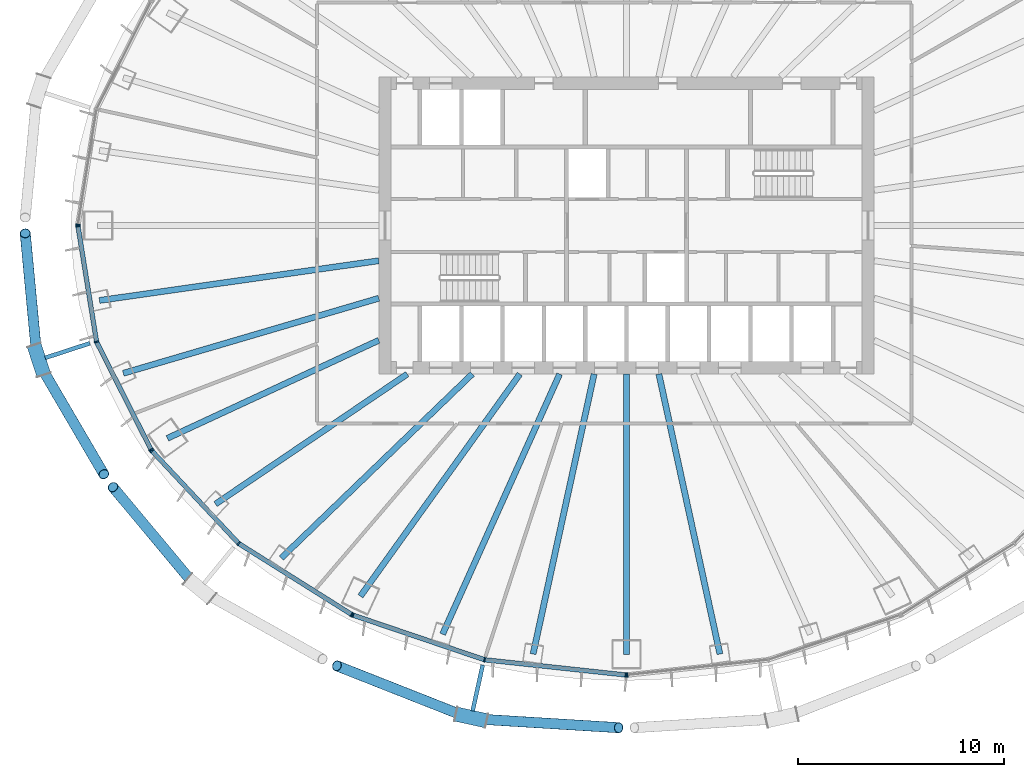
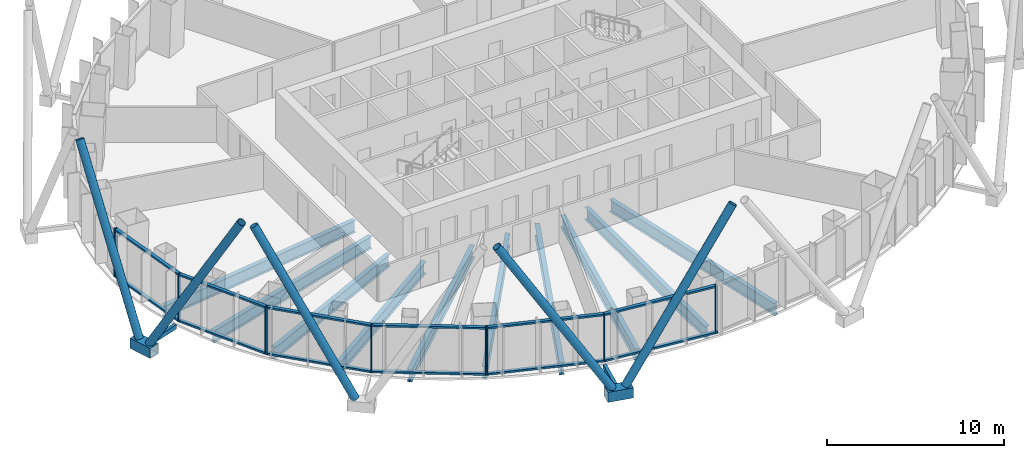
# One storey, part 2 of 18: 32 members, 10 beams, 5 elements without a shape of their own.
"""IFC4 building model written with IfcOpenShell, lengths in metres."""

import ifcopenshell
import ifcopenshell.guid

model = None  # the IFC model being written
_history = None  # IfcOwnerHistory: only IFC2X3 demands one
_inside = {}  # id of a spatial element -> (the spatial element, [elements in it])
_under = {}  # id of a project, library or spatial element -> (it, [spatial elements below it])
_declared = {}  # id of a project -> (the project, [libraries it declares])
_typed = {}  # id of a type object -> (the type object, [elements of that type])
_made_of = {}  # id of a material, layer set ... -> (it, [elements and type objects made of it])


def new_model(schema):
    """Start an empty IFC model of exactly this schema.

    Asked for "IFC4X3", IfcOpenShell would pick the latest addendum, in which some entities
    have other attributes; the version numbers below select the first issue.
    IFC2X3 requires an IfcOwnerHistory on every rooted entity: one is made here for all.
    """
    global model, _history
    if schema == "IFC4X3":
        model = ifcopenshell.file(schema_version=(4, 3, 0, 0))
    else:
        model = ifcopenshell.file(schema=schema)
    _inside.clear()
    _under.clear()
    _declared.clear()
    _typed.clear()
    _made_of.clear()
    _history = None
    if model.schema == "IFC2X3":
        org = make("IfcOrganization", Name="unknown")
        user = make(
            "IfcPersonAndOrganization",
            ThePerson=make("IfcPerson", FamilyName="unknown"),
            TheOrganization=org,
        )
        app = make(
            "IfcApplication",
            ApplicationDeveloper=org,
            Version="unknown",
            ApplicationFullName="unknown",
            ApplicationIdentifier="unknown",
        )
        _history = make(
            "IfcOwnerHistory",
            OwningUser=user,
            OwningApplication=app,
            ChangeAction="ADDED",
            CreationDate=0,
        )
    return model


def make(cls, **values):
    """One entity of the class cls with the attributes given. An attribute that is None is left unset."""
    return model.create_entity(
        cls, **{name: value for name, value in values.items() if value is not None}
    )


def rooted(cls, **values):
    """An entity with a GlobalId (a new one), such as an element, a storey or a relation."""
    return make(cls, GlobalId=ifcopenshell.guid.new(), OwnerHistory=_history, **values)


def si_unit(unit_type, name, prefix=None):
    """IfcSIUnit, for example si_unit("LENGTHUNIT", "METRE", prefix="MILLI")."""
    return make("IfcSIUnit", UnitType=unit_type, Prefix=prefix, Name=name)


def assignment(units):
    """IfcUnitAssignment: the units of a project."""
    return None if units is None else make("IfcUnitAssignment", Units=units)


def point(xyz):
    """IfcCartesianPoint."""
    return None if xyz is None else make("IfcCartesianPoint", Coordinates=xyz)


def direction(xyz):
    """IfcDirection."""
    return None if xyz is None else make("IfcDirection", DirectionRatios=xyz)


def frame(location, z_axis=None, x_axis=None):
    """IfcAxis2Placement3D, a coordinate frame: its origin and axes. An axis left out is left unset."""
    return make(
        "IfcAxis2Placement3D",
        Location=point(location),
        Axis=direction(z_axis),
        RefDirection=direction(x_axis),
    )


def frame_2d(location, x_axis=None):
    """IfcAxis2Placement2D, a coordinate frame in the plane: its origin and x axis."""
    return make(
        "IfcAxis2Placement2D", Location=point(location), RefDirection=direction(x_axis)
    )


def origin():
    """The frame at (0, 0, 0) with its axes left unset."""
    return frame((0.0, 0.0, 0.0))


def origin_2d():
    """The frame at (0, 0) in the plane with its x axis left unset."""
    return frame_2d((0.0, 0.0))


def place(relative_to, where):
    """IfcLocalPlacement: puts the frame where relative to a parent placement (None: the world)."""
    return make(
        "IfcLocalPlacement", PlacementRelTo=relative_to, RelativePlacement=where
    )


def context(
    kind, dimensions, precision=None, world=None, true_north=None, identifier=None
):
    """IfcGeometricRepresentationContext, for example the 3D "Model" context."""
    return make(
        "IfcGeometricRepresentationContext",
        ContextIdentifier=identifier,
        ContextType=kind,
        CoordinateSpaceDimension=dimensions,
        Precision=precision,
        WorldCoordinateSystem=world,
        TrueNorth=true_north,
    )


def subcontext(parent, identifier, kind, view, scale=None):
    """IfcGeometricRepresentationSubContext, for example "Body" below "Model"."""
    return make(
        "IfcGeometricRepresentationSubContext",
        ContextIdentifier=identifier,
        ContextType=kind,
        ParentContext=parent,
        TargetScale=scale,
        TargetView=view,
    )


def project(units=None, contexts=None):
    """IfcProject with its units and contexts."""
    return rooted(
        "IfcProject",
        Name="project",
        RepresentationContexts=contexts,
        UnitsInContext=assignment(units),
    )


def spatial(cls, under=None, at=None, **own):
    """A site, building, storey or space (cls), placed at a placement, below another one or the project."""
    s = rooted(cls, ObjectPlacement=at, **own)
    if under is not None:
        _under.setdefault(under.id(), (under, []))[1].append(s)
    return s


def profile(cls, at=None, kind="AREA", **sizes):
    """A parametric profile (cls). Its sizes go by their IFC names, for example OverallWidth=200.0."""
    return make(cls, ProfileType=kind, Position=at, **sizes)


def rectangle(**sizes):
    """IfcRectangleProfileDef."""
    return profile("IfcRectangleProfileDef", **sizes)


def hollow_rectangle(**sizes):
    """IfcRectangleHollowProfileDef."""
    return profile("IfcRectangleHollowProfileDef", **sizes)


def hollow_circle(**sizes):
    """IfcCircleHollowProfileDef."""
    return profile("IfcCircleHollowProfileDef", **sizes)


def i_section(**sizes):
    """IfcIShapeProfileDef."""
    return profile("IfcIShapeProfileDef", **sizes)


def extrude(swept, where, along, depth):
    """IfcExtrudedAreaSolid: the profile swept, set in the frame where, extruded along a direction by depth."""
    return make(
        "IfcExtrudedAreaSolid",
        SweptArea=swept,
        Position=where,
        ExtrudedDirection=direction(along),
        Depth=depth,
    )


def shape(context_of_items, identifier, shape_type, items):
    """IfcShapeRepresentation: the items that make up one representation, for example the "Body"."""
    return make(
        "IfcShapeRepresentation",
        ContextOfItems=context_of_items,
        RepresentationIdentifier=identifier,
        RepresentationType=shape_type,
        Items=items,
    )


def material(Name=None, Category=None):
    """IfcMaterial."""
    return make("IfcMaterial", Name=Name, Category=Category)


def layer(
    of_material, thickness, ventilated=None, Name=None, Category=None, Priority=None
):
    """IfcMaterialLayer: one layer of a wall or slab, of a material (None: an air gap)."""
    return make(
        "IfcMaterialLayer",
        Material=of_material,
        LayerThickness=thickness,
        IsVentilated=ventilated,
        Name=Name,
        Category=Category,
        Priority=Priority,
    )


def layer_set(layers, Name=None):
    """IfcMaterialLayerSet."""
    return make("IfcMaterialLayerSet", MaterialLayers=layers, LayerSetName=Name)


def material_profile(
    of_material, cross_section, Name=None, Category=None, Priority=None
):
    """IfcMaterialProfile: a cross section and its material."""
    return make(
        "IfcMaterialProfile",
        Name=Name,
        Material=of_material,
        Profile=cross_section,
        Priority=Priority,
        Category=Category,
    )


def profile_set(profiles, Name=None, composite=None):
    """IfcMaterialProfileSet."""
    return make(
        "IfcMaterialProfileSet",
        Name=Name,
        MaterialProfiles=profiles,
        CompositeProfile=composite,
    )


def made_of(thing, what):
    """Note that an element or type object is made of a material, layer set ...; save() writes the relation."""
    if what is not None:
        _made_of.setdefault(what.id(), (what, []))[1].append(thing)
    return thing


def type_object(cls, material=None, **own):
    """A type object (cls), such as IfcWallType, which elements share."""
    return made_of(rooted(cls, **own), material)


def element(
    cls,
    number,
    at=None,
    inside=None,
    cuts=None,
    type_object=None,
    material=None,
    context=None,
    identifier="Body",
    shape_type=None,
    held_by="IfcProductDefinitionShape",
    body=None,
    shapes=None,
    **own,
):
    """One element of the class cls, such as IfcWall. Its Tag is "e" and its number.

    at: its placement. inside: the storey or other place that contains it. cuts: it is an
    opening in that element (IfcRelVoidsElement). A single representation is given by context,
    identifier, shape_type and body (its items); several are given by shapes. held_by: the class
    of the entity that holds the representations. save() writes the other relations.
    """
    e = rooted(cls, Tag="e%d" % number, ObjectPlacement=at, **own)
    if body is not None:
        shapes = [shape(context, identifier, shape_type, body)]
    if shapes is not None:
        e.Representation = make(held_by, Representations=shapes)
    if inside is not None:
        _inside.setdefault(inside.id(), (inside, []))[1].append(e)
    if cuts is not None:
        rooted(
            "IfcRelVoidsElement", RelatingBuildingElement=cuts, RelatedOpeningElement=e
        )
    if type_object is not None:
        _typed.setdefault(type_object.id(), (type_object, []))[1].append(e)
    return made_of(e, material)


def aggregate(whole, parts):
    """IfcRelAggregates: a whole, such as a stair, and the parts it consists of."""
    return rooted("IfcRelAggregates", RelatingObject=whole, RelatedObjects=parts)


def save(model, path):
    """Write the relations noted so far, then the file.

    IfcRelAggregates (storeys below a building ...), IfcRelContainedInSpatialStructure (elements
    in a storey), IfcRelDefinesByType, IfcRelAssociatesMaterial and IfcRelDeclares: one each for
    every whole, place, type object, material and project.
    """
    for whole, parts in _under.values():
        aggregate(whole, parts)
    for where, things in _inside.values():
        rooted(
            "IfcRelContainedInSpatialStructure",
            RelatedElements=things,
            RelatingStructure=where,
        )
    for kind, things in _typed.values():
        rooted("IfcRelDefinesByType", RelatedObjects=things, RelatingType=kind)
    for what, things in _made_of.values():
        rooted("IfcRelAssociatesMaterial", RelatedObjects=things, RelatingMaterial=what)
    for by, libraries in _declared.values():
        rooted("IfcRelDeclares", RelatingContext=by, RelatedDefinitions=libraries)
    model.write(path)


model = new_model("IFC4")

# Units and contexts
model_context = context("Model", 3, precision=1e-05, world=origin(), true_north=direction((0.0, 1.0)))
body_context = subcontext(model_context, "Body", "Model", "MODEL_VIEW")
ifc_project = project(units=[si_unit("LENGTHUNIT", "METRE"), si_unit("AREAUNIT", "SQUARE_METRE"), si_unit("VOLUMEUNIT", "CUBIC_METRE"), si_unit("PLANEANGLEUNIT", "RADIAN"), si_unit("MASSUNIT", "GRAM", prefix="KILO")], contexts=[model_context])

# Site, building, storey
site_placement = place(None, origin())
site = spatial("IfcSite", under=ifc_project, at=site_placement, CompositionType="ELEMENT")
building_placement = place(site_placement, origin())
building = spatial("IfcBuilding", under=site, at=building_placement, Name="Siaravel Broadcast Tower", CompositionType="ELEMENT")
storey_placement = place(building_placement, frame((0.0, 0.0, 81.5)))
storey = spatial("IfcBuildingStorey", under=building, at=storey_placement, Name="L19", CompositionType="ELEMENT", Elevation=81.5)

# Beams
ifc_material_1 = material(Name="Steel S355", Category="steel")
ifc_material_profile_1 = material_profile(ifc_material_1, i_section(OverallWidth=0.291748046875, OverallDepth=0.8349609375, WebThickness=0.013916015625, FlangeThickness=0.018798828125, FilletRadius=0.017822265625, at=origin_2d()))
ifc_profile_set_1 = profile_set([ifc_material_profile_1], Name="Steel S355")
beam_type = type_object("IfcBeamType", Name="BM-UB 838x292x176", PredefinedType="BEAM", material=ifc_profile_set_1)
beam_1_placement = place(storey_placement, frame((-25.533447265625, -3.63232421875, -0.5673828125), z_axis=(0.990031838, 0.140843741, 0.0), x_axis=(-0.140843741, 0.990031838, 0.0)))
element("IfcBeam", 1, at=beam_1_placement, inside=storey, type_object=beam_type, Name="Radial beam RB20", PredefinedType="BEAM", context=body_context, shape_type="SweptSolid", body=[
    extrude(i_section(OverallWidth=0.291748046875, OverallDepth=0.8349609375, WebThickness=0.013916015625, FlangeThickness=0.018798828125, FilletRadius=0.017822265625, at=origin_2d()), origin(), (0.0, 0.0, 1.0), 13.669677734375),
])
beam_2_placement = place(storey_placement, frame((-24.37890625, -7.161376953125, -0.5673828125), z_axis=(0.959457352, 0.281853843, 0.0), x_axis=(-0.281853843, 0.959457352, 0.0)))
element("IfcBeam", 2, at=beam_2_placement, inside=storey, type_object=beam_type, Name="Radial beam RB21", PredefinedType="BEAM", context=body_context, shape_type="SweptSolid", body=[
    extrude(i_section(OverallWidth=0.291748046875, OverallDepth=0.8349609375, WebThickness=0.013916015625, FlangeThickness=0.018798828125, FilletRadius=0.017822265625, at=origin_2d()), origin(), (0.0, 0.0, 1.0), 12.902099609375),
])
beam_3_placement = place(storey_placement, frame((-22.242431640625, -10.310302734375, -0.5673828125), z_axis=(0.907266333, 0.420556537, 0.0), x_axis=(-0.420556537, 0.907266333, 0.0)))
element("IfcBeam", 3, at=beam_3_placement, inside=storey, type_object=beam_type, Name="Radial beam RB22", PredefinedType="BEAM", context=body_context, shape_type="SweptSolid", body=[
    extrude(i_section(OverallWidth=0.291748046875, OverallDepth=0.8349609375, WebThickness=0.013916015625, FlangeThickness=0.018798828125, FilletRadius=0.017822265625, at=origin_2d()), origin(), (0.0, 0.0, 1.0), 11.289306640625),
])
beam_4_placement = place(storey_placement, frame((-19.910888671875, -13.496826171875, -0.5673828125), z_axis=(0.827748229, 0.561099696, 0.0), x_axis=(-0.561099696, 0.827748229, 0.0)))
element("IfcBeam", 4, at=beam_4_placement, inside=storey, type_object=beam_type, Name="Radial beam RB23", PredefinedType="BEAM", context=body_context, shape_type="SweptSolid", body=[
    extrude(i_section(OverallWidth=0.291748046875, OverallDepth=0.8349609375, WebThickness=0.013916015625, FlangeThickness=0.018798828125, FilletRadius=0.017822265625, at=origin_2d()), origin(), (0.0, 0.0, 1.0), 11.222412109375),
])
beam_5_placement = place(storey_placement, frame((-16.72314453125, -16.10791015625, -0.5673828125), z_axis=(0.72022556, 0.693739968, 0.0), x_axis=(-0.693739968, 0.72022556, 0.0)))
element("IfcBeam", 5, at=beam_5_placement, inside=storey, type_object=beam_type, Name="Radial beam RB24", PredefinedType="BEAM", context=body_context, shape_type="SweptSolid", body=[
    extrude(i_section(OverallWidth=0.291748046875, OverallDepth=0.8349609375, WebThickness=0.013916015625, FlangeThickness=0.018798828125, FilletRadius=0.017822265625, at=origin_2d()), origin(), (0.0, 0.0, 1.0), 12.840576171875),
])
beam_6_placement = place(storey_placement, frame((-12.890380859375, -17.961181640625, -0.5673828125), z_axis=(0.583051778, 0.812434997, 0.0), x_axis=(-0.812434997, 0.583051778, 0.0)))
element("IfcBeam", 6, at=beam_6_placement, inside=storey, type_object=beam_type, Name="Radial beam RB25", PredefinedType="BEAM", context=body_context, shape_type="SweptSolid", body=[
    extrude(i_section(OverallWidth=0.291748046875, OverallDepth=0.8349609375, WebThickness=0.013916015625, FlangeThickness=0.018798828125, FilletRadius=0.017822265625, at=origin_2d()), origin(), (0.0, 0.0, 1.0), 13.24560546875),
])
beam_7_placement = place(storey_placement, frame((-8.91064453125, -19.80126953125, -0.5673828125), z_axis=(0.41036835, 0.911919852, 0.0), x_axis=(-0.911919852, 0.41036835, 0.0)))
element("IfcBeam", 7, at=beam_7_placement, inside=storey, type_object=beam_type, Name="Radial beam RB26", PredefinedType="BEAM", context=body_context, shape_type="SweptSolid", body=[
    extrude(i_section(OverallWidth=0.291748046875, OverallDepth=0.8349609375, WebThickness=0.013916015625, FlangeThickness=0.018798828125, FilletRadius=0.017822265625, at=origin_2d()), origin(), (0.0, 0.0, 1.0), 13.818359375),
])
beam_8_placement = place(storey_placement, frame((-4.52587890625, -20.763671875, -0.5673828125), z_axis=(0.212973558, 0.977057963, 0.0), x_axis=(-0.977057963, 0.212973558, 0.0)))
element("IfcBeam", 8, at=beam_8_placement, inside=storey, type_object=beam_type, Name="Radial beam RB27", PredefinedType="BEAM", context=body_context, shape_type="SweptSolid", body=[
    extrude(i_section(OverallWidth=0.291748046875, OverallDepth=0.8349609375, WebThickness=0.013916015625, FlangeThickness=0.018798828125, FilletRadius=0.017822265625, at=origin_2d()), origin(), (0.0, 0.0, 1.0), 13.88232421875),
])
beam_9_placement = place(storey_placement, frame((0.0, -20.787841796875, -0.5673828125), z_axis=(0.0, 1.0, 0.0), x_axis=(-1.0, 0.0, 0.0)))
element("IfcBeam", 9, at=beam_9_placement, inside=storey, type_object=beam_type, Name="Radial beam RB28", PredefinedType="BEAM", context=body_context, shape_type="SweptSolid", body=[
    extrude(i_section(OverallWidth=0.291748046875, OverallDepth=0.8349609375, WebThickness=0.013916015625, FlangeThickness=0.018798828125, FilletRadius=0.017822265625, at=origin_2d()), origin(), (0.0, 0.0, 1.0), 13.587890625),
])
beam_10_placement = place(storey_placement, frame((4.52587890625, -20.763671875, -0.5673828125), z_axis=(-0.212973558, 0.977057963, 0.0), x_axis=(-0.977057963, -0.212973558, 0.0)))
element("IfcBeam", 10, at=beam_10_placement, inside=storey, type_object=beam_type, Name="Radial beam RB29", PredefinedType="BEAM", context=body_context, shape_type="SweptSolid", body=[
    extrude(i_section(OverallWidth=0.291748046875, OverallDepth=0.8349609375, WebThickness=0.013916015625, FlangeThickness=0.018798828125, FilletRadius=0.017822265625, at=origin_2d()), origin(), (0.0, 0.0, 1.0), 13.88232421875),
])

# Curtain wall, member
ifc_material_2 = material(Name="Aluminium 6063-T6", Category="aluminium")
ifc_layer = layer(ifc_material_2, 0.219970703125)
ifc_layer_set = layer_set([ifc_layer], Name="Aluminium 6063-T6")
curtain_wall_type = type_object("IfcCurtainWallType", Name="Unitised curtain wall, zone 1", PredefinedType="NOTDEFINED", material=ifc_layer_set)
curtain_wall_1_placement = place(storey_placement, origin())
curtain_wall_1 = element("IfcCurtainWall", 11, at=curtain_wall_1_placement, inside=storey, type_object=curtain_wall_type, Name="L19 Unitised curtain wall, zone 1 06", PredefinedType="NOTDEFINED")
ifc_material_profile_2 = material_profile(ifc_material_2, rectangle(XDim=0.219970703125, YDim=0.070068359375, at=origin_2d()))
ifc_profile_set_2 = profile_set([ifc_material_profile_2], Name="Aluminium 6063-T6")
member_type_1 = type_object("IfcMemberType", Name="CW-Z1 mullion", PredefinedType="MULLION", material=ifc_profile_set_2)
member_1_placement = place(storey_placement, frame((-26.57373046875, 0.03466796875, 0.0), z_axis=(0.0, 0.0, 1.0), x_axis=(0.987329198, -0.158685394, 0.0)))
member_1 = element("IfcMember", 12, at=member_1_placement, type_object=member_type_1, Name="CW-Z1 mullion 3", PredefinedType="MULLION", context=body_context, shape_type="SweptSolid", body=[
    extrude(rectangle(XDim=0.219970703125, YDim=0.070068359375, at=origin_2d()), origin(), (0.0, 0.0, 1.0), 3.300048828125),
])
aggregate(curtain_wall_1, [member_1])

# Curtain wall, members
curtain_wall_2_placement = place(storey_placement, origin())
curtain_wall_2 = element("IfcCurtainWall", 13, at=curtain_wall_2_placement, inside=storey, type_object=curtain_wall_type, Name="L19 Unitised curtain wall, zone 1 07", PredefinedType="NOTDEFINED")
member_2_placement = place(storey_placement, frame((-26.57373046875, -0.03466796875, 0.0), z_axis=(0.0, 0.0, 1.0), x_axis=(0.987329198, 0.158685394, 0.0)))
member_2 = element("IfcMember", 14, at=member_2_placement, type_object=member_type_1, Name="CW-Z1 mullion 1", PredefinedType="MULLION", context=body_context, shape_type="SweptSolid", body=[
    extrude(rectangle(XDim=0.219970703125, YDim=0.070068359375, at=origin_2d()), origin(), (0.0, 0.0, 1.0), 3.300048828125),
])
member_3_placement = place(storey_placement, frame((-25.673095703125, -5.639892578125, 0.0), z_axis=(0.0, 0.0, 1.0), x_axis=(0.951177293, 0.308645034, 0.0)))
member_3 = element("IfcMember", 15, at=member_3_placement, type_object=member_type_1, Name="CW-Z1 mullion 2", PredefinedType="MULLION", context=body_context, shape_type="SweptSolid", body=[
    extrude(rectangle(XDim=0.219970703125, YDim=0.070068359375, at=origin_2d()), origin(), (0.0, 0.0, 1.0), 3.300048828125),
])
member_4_placement = place(storey_placement, frame((-23.03173828125, -10.86279296875, 0.0), z_axis=(0.0, 0.0, 1.0), x_axis=(0.892392264, 0.45126051, 0.0)))
member_4 = element("IfcMember", 16, at=member_4_placement, type_object=member_type_1, Name="CW-Z1 mullion 3", PredefinedType="MULLION", context=body_context, shape_type="SweptSolid", body=[
    extrude(rectangle(XDim=0.219970703125, YDim=0.070068359375, at=origin_2d()), origin(), (0.0, 0.0, 1.0), 3.300048828125),
])

curtain_wall_3_placement = place(storey_placement, origin())
curtain_wall_3 = element("IfcCurtainWall", 17, at=curtain_wall_3_placement, inside=storey, type_object=curtain_wall_type, Name="L19 Unitised curtain wall, zone 1 08", PredefinedType="NOTDEFINED")
member_5_placement = place(storey_placement, frame((-22.9921875, -10.919677734375, 0.0), z_axis=(0.0, 0.0, 1.0), x_axis=(0.729805713, 0.683654607, 0.0)))
member_5 = element("IfcMember", 18, at=member_5_placement, type_object=member_type_1, Name="CW-Z1 mullion 1", PredefinedType="MULLION", context=body_context, shape_type="SweptSolid", body=[
    extrude(rectangle(XDim=0.219970703125, YDim=0.070068359375, at=origin_2d()), origin(), (0.0, 0.0, 1.0), 3.300048828125),
])
member_6_placement = place(storey_placement, frame((-18.790771484375, -15.404541015625, 0.0), z_axis=(0.0, 0.0, 1.0), x_axis=(0.636219201, 0.771508346, 0.0)))
member_6 = element("IfcMember", 19, at=member_6_placement, type_object=member_type_1, Name="CW-Z1 mullion 2", PredefinedType="MULLION", context=body_context, shape_type="SweptSolid", body=[
    extrude(rectangle(XDim=0.219970703125, YDim=0.070068359375, at=origin_2d()), origin(), (0.0, 0.0, 1.0), 3.300048828125),
])
member_7_placement = place(storey_placement, frame((-13.315673828125, -18.845703125, 0.0), z_axis=(0.0, 0.0, 1.0), x_axis=(0.532149888, 0.846650162, 0.0)))
member_7 = element("IfcMember", 20, at=member_7_placement, type_object=member_type_1, Name="CW-Z1 mullion 3", PredefinedType="MULLION", context=body_context, shape_type="SweptSolid", body=[
    extrude(rectangle(XDim=0.219970703125, YDim=0.070068359375, at=origin_2d()), origin(), (0.0, 0.0, 1.0), 3.300048828125),
])

curtain_wall_4_placement = place(storey_placement, origin())
curtain_wall_4 = element("IfcCurtainWall", 21, at=curtain_wall_4_placement, inside=storey, type_object=curtain_wall_type, Name="L19 Unitised curtain wall, zone 1 09", PredefinedType="NOTDEFINED")
member_8_placement = place(storey_placement, frame((-13.2529296875, -18.875732421875, 0.0), z_axis=(0.0, 0.0, 1.0), x_axis=(0.321301192, 0.946977056, 0.0)))
member_8 = element("IfcMember", 22, at=member_8_placement, type_object=member_type_1, Name="CW-Z1 mullion 1", PredefinedType="MULLION", context=body_context, shape_type="SweptSolid", body=[
    extrude(rectangle(XDim=0.219970703125, YDim=0.070068359375, at=origin_2d()), origin(), (0.0, 0.0, 1.0), 3.300048828125),
])
member_9_placement = place(storey_placement, frame((-6.876953125, -21.0390625, 0.0), z_axis=(0.0, 0.0, 1.0), x_axis=(0.21555847, 0.976490935, 0.0)))
member_9 = element("IfcMember", 23, at=member_9_placement, type_object=member_type_1, Name="CW-Z1 mullion 2", PredefinedType="MULLION", context=body_context, shape_type="SweptSolid", body=[
    extrude(rectangle(XDim=0.219970703125, YDim=0.070068359375, at=origin_2d()), origin(), (0.0, 0.0, 1.0), 3.300048828125),
])
member_10_placement = place(storey_placement, frame((-0.034912109375, -21.77685546875, 0.0), z_axis=(0.0, 0.0, 1.0), x_axis=(0.10721771, 0.994235567, 0.0)))
member_10 = element("IfcMember", 24, at=member_10_placement, type_object=member_type_1, Name="CW-Z1 mullion 3", PredefinedType="MULLION", context=body_context, shape_type="SweptSolid", body=[
    extrude(rectangle(XDim=0.219970703125, YDim=0.070068359375, at=origin_2d()), origin(), (0.0, 0.0, 1.0), 3.300048828125),
])

# Curtain wall, member
curtain_wall_5_placement = place(storey_placement, origin())
curtain_wall_5 = element("IfcCurtainWall", 25, at=curtain_wall_5_placement, inside=storey, type_object=curtain_wall_type, Name="L19 Unitised curtain wall, zone 1 10", PredefinedType="NOTDEFINED")
member_11_placement = place(storey_placement, frame((0.034912109375, -21.77685546875, 0.0), z_axis=(0.0, 0.0, 1.0), x_axis=(-0.10721771, 0.994235567, 0.0)))
member_11 = element("IfcMember", 26, at=member_11_placement, type_object=member_type_1, Name="CW-Z1 mullion 1", PredefinedType="MULLION", context=body_context, shape_type="SweptSolid", body=[
    extrude(rectangle(XDim=0.219970703125, YDim=0.070068359375, at=origin_2d()), origin(), (0.0, 0.0, 1.0), 3.300048828125),
])
aggregate(curtain_wall_5, [member_11])

# Member
ifc_material_profile_3 = material_profile(ifc_material_2, rectangle(XDim=0.219970703125, YDim=0.1201171875, at=origin_2d()))
ifc_profile_set_3 = profile_set([ifc_material_profile_3], Name="Aluminium 6063-T6")
member_type_2 = type_object("IfcMemberType", Name="CW-Z1 transom", PredefinedType="USERDEFINED", material=ifc_profile_set_3)
member_12_placement = place(storey_placement, frame((-26.568359375, -0.069091796875, 0.06005859375), z_axis=(0.158705381, -0.987325986, 0.0), x_axis=(0.987325986, 0.158705381, 0.0)))
member_12 = element("IfcMember", 27, at=member_12_placement, type_object=member_type_2, Name="CW-Z1 transom 1", ObjectType="TRANSOM", PredefinedType="USERDEFINED", context=body_context, shape_type="SweptSolid", body=[
    extrude(rectangle(XDim=0.219970703125, YDim=0.1201171875, at=origin_2d()), origin(), (0.0, 0.0, 1.0), 5.607177734375),
])

member_13_placement = place(storey_placement, frame((-26.568359375, -0.069091796875, 3.239990234375), z_axis=(0.158705381, -0.987325986, 0.0), x_axis=(0.987325986, 0.158705381, 0.0)))
member_13 = element("IfcMember", 28, at=member_13_placement, type_object=member_type_2, Name="CW-Z1 transom 1", ObjectType="TRANSOM", PredefinedType="USERDEFINED", context=body_context, shape_type="SweptSolid", body=[
    extrude(rectangle(XDim=0.219970703125, YDim=0.1201171875, at=origin_2d()), origin(), (0.0, 0.0, 1.0), 5.607177734375),
])

member_14_placement = place(storey_placement, frame((-25.6572265625, -5.671142578125, 0.06005859375), z_axis=(0.451278877, -0.892382976, 0.0), x_axis=(0.892382976, 0.451278877, 0.0)))
member_14 = element("IfcMember", 29, at=member_14_placement, type_object=member_type_2, Name="CW-Z1 transom 2", ObjectType="TRANSOM", PredefinedType="USERDEFINED", context=body_context, shape_type="SweptSolid", body=[
    extrude(rectangle(XDim=0.219970703125, YDim=0.1201171875, at=origin_2d()), origin(), (0.0, 0.0, 1.0), 5.78271484375),
])

member_15_placement = place(storey_placement, frame((-25.6572265625, -5.671142578125, 3.239990234375), z_axis=(0.451278877, -0.892382976, 0.0), x_axis=(0.892382976, 0.451278877, 0.0)))
member_15 = element("IfcMember", 30, at=member_15_placement, type_object=member_type_2, Name="CW-Z1 transom 2", ObjectType="TRANSOM", PredefinedType="USERDEFINED", context=body_context, shape_type="SweptSolid", body=[
    extrude(rectangle(XDim=0.219970703125, YDim=0.1201171875, at=origin_2d()), origin(), (0.0, 0.0, 1.0), 5.78271484375),
])

aggregate(curtain_wall_2, [member_2, member_3, member_4, member_12, member_13, member_14, member_15])

member_16_placement = place(storey_placement, frame((-22.968017578125, -10.9453125, 0.06005859375), z_axis=(0.683663028, -0.729797824, 0.0), x_axis=(0.729797824, 0.683663028, 0.0)))
member_16 = element("IfcMember", 31, at=member_16_placement, type_object=member_type_2, Name="CW-Z1 transom 1", ObjectType="TRANSOM", PredefinedType="USERDEFINED", context=body_context, shape_type="SweptSolid", body=[
    extrude(rectangle(XDim=0.219970703125, YDim=0.1201171875, at=origin_2d()), origin(), (0.0, 0.0, 1.0), 6.0751953125),
])

member_17_placement = place(storey_placement, frame((-22.968017578125, -10.9453125, 3.239990234375), z_axis=(0.683663028, -0.729797824, 0.0), x_axis=(0.729797824, 0.683663028, 0.0)))
member_17 = element("IfcMember", 32, at=member_17_placement, type_object=member_type_2, Name="CW-Z1 transom 1", ObjectType="TRANSOM", PredefinedType="USERDEFINED", context=body_context, shape_type="SweptSolid", body=[
    extrude(rectangle(XDim=0.219970703125, YDim=0.1201171875, at=origin_2d()), origin(), (0.0, 0.0, 1.0), 6.0751953125),
])

member_18_placement = place(storey_placement, frame((-18.76123046875, -15.423095703125, 0.06005859375), z_axis=(0.846657675, -0.532137935, 0.0), x_axis=(0.532137935, 0.846657675, 0.0)))
member_18 = element("IfcMember", 33, at=member_18_placement, type_object=member_type_2, Name="CW-Z1 transom 2", ObjectType="TRANSOM", PredefinedType="USERDEFINED", context=body_context, shape_type="SweptSolid", body=[
    extrude(rectangle(XDim=0.219970703125, YDim=0.1201171875, at=origin_2d()), origin(), (0.0, 0.0, 1.0), 6.39697265625),
])

member_19_placement = place(storey_placement, frame((-18.76123046875, -15.423095703125, 3.239990234375), z_axis=(0.846657675, -0.532137935, 0.0), x_axis=(0.532137935, 0.846657675, 0.0)))
member_19 = element("IfcMember", 34, at=member_19_placement, type_object=member_type_2, Name="CW-Z1 transom 2", ObjectType="TRANSOM", PredefinedType="USERDEFINED", context=body_context, shape_type="SweptSolid", body=[
    extrude(rectangle(XDim=0.219970703125, YDim=0.1201171875, at=origin_2d()), origin(), (0.0, 0.0, 1.0), 6.39697265625),
])

aggregate(curtain_wall_3, [member_5, member_6, member_7, member_16, member_17, member_18, member_19])

member_20_placement = place(storey_placement, frame((-13.2197265625, -18.886962890625, 0.06005859375), z_axis=(0.946984275, -0.321279915, 0.0), x_axis=(0.321279915, 0.946984275, 0.0)))
member_20 = element("IfcMember", 35, at=member_20_placement, type_object=member_type_2, Name="CW-Z1 transom 1", ObjectType="TRANSOM", PredefinedType="USERDEFINED", context=body_context, shape_type="SweptSolid", body=[
    extrude(rectangle(XDim=0.219970703125, YDim=0.1201171875, at=origin_2d()), origin(), (0.0, 0.0, 1.0), 6.662841796875),
])

member_21_placement = place(storey_placement, frame((-13.2197265625, -18.886962890625, 3.239990234375), z_axis=(0.946984275, -0.321279915, 0.0), x_axis=(0.321279915, 0.946984275, 0.0)))
member_21 = element("IfcMember", 36, at=member_21_placement, type_object=member_type_2, Name="CW-Z1 transom 1", ObjectType="TRANSOM", PredefinedType="USERDEFINED", context=body_context, shape_type="SweptSolid", body=[
    extrude(rectangle(XDim=0.219970703125, YDim=0.1201171875, at=origin_2d()), origin(), (0.0, 0.0, 1.0), 6.662841796875),
])

member_22_placement = place(storey_placement, frame((-6.84228515625, -21.042724609375, 0.06005859375), z_axis=(0.994233929, -0.107232901, 0.0), x_axis=(0.107232901, 0.994233929, 0.0)))
member_22 = element("IfcMember", 37, at=member_22_placement, type_object=member_type_2, Name="CW-Z1 transom 2", ObjectType="TRANSOM", PredefinedType="USERDEFINED", context=body_context, shape_type="SweptSolid", body=[
    extrude(rectangle(XDim=0.219970703125, YDim=0.1201171875, at=origin_2d()), origin(), (0.0, 0.0, 1.0), 6.81201171875),
])

member_23_placement = place(storey_placement, frame((-6.84228515625, -21.042724609375, 3.239990234375), z_axis=(0.994233929, -0.107232901, 0.0), x_axis=(0.107232901, 0.994233929, 0.0)))
member_23 = element("IfcMember", 38, at=member_23_placement, type_object=member_type_2, Name="CW-Z1 transom 2", ObjectType="TRANSOM", PredefinedType="USERDEFINED", context=body_context, shape_type="SweptSolid", body=[
    extrude(rectangle(XDim=0.219970703125, YDim=0.1201171875, at=origin_2d()), origin(), (0.0, 0.0, 1.0), 6.81201171875),
])

aggregate(curtain_wall_4, [member_8, member_9, member_10, member_20, member_21, member_22, member_23])

# Members
ifc_material_3 = material(Name="Steel S460", Category="steel")
ifc_material_profile_4 = material_profile(ifc_material_3, hollow_circle(Radius=0.25390625, WallThickness=0.02001953125, at=origin_2d()))
ifc_profile_set_4 = profile_set([ifc_material_profile_4], Name="Steel S460")
member_type_3 = type_object("IfcMemberType", Name="Diagrid diagonal CHS 508x20", PredefinedType="BRACE", material=ifc_profile_set_4)
member_24_placement = place(storey_placement, frame((-28.585693359375, -6.153564453125, 0.1201171875), z_axis=(-0.045459037, 0.482780285, 0.874560845), x_axis=(-0.995596123, -0.09374625, 0.0)))
element("IfcMember", 39, at=member_24_placement, inside=storey, type_object=member_type_3, Name="Diagrid diagonal R08 station 39C", PredefinedType="BRACE", context=body_context, shape_type="SweptSolid", body=[
    extrude(hollow_circle(Radius=0.25390625, WallThickness=0.02001953125, at=origin_2d()), origin(), (0.0, 0.0, 1.0), 11.960205078125),
])
member_25_placement = place(storey_placement, frame((-28.349609375, -6.874755859375, 0.1201171875), z_axis=(0.251335725, -0.429420874, 0.867426116), x_axis=(0.863043025, 0.505130416, 0.0)))
element("IfcMember", 40, at=member_25_placement, inside=storey, type_object=member_type_3, Name="Diagrid diagonal R08 station 39A", PredefinedType="BRACE", context=body_context, shape_type="SweptSolid", body=[
    extrude(hollow_circle(Radius=0.25390625, WallThickness=0.02001953125, at=origin_2d()), origin(), (0.0, 0.0, 1.0), 12.05859375),
])
member_26_placement = place(storey_placement, frame((-20.9716796875, -17.359375, 0.1201171875), z_axis=(-0.322860874, 0.386949211, 0.863730956), x_axis=(-0.767827657, -0.640656451, 0.0)))
element("IfcMember", 41, at=member_26_placement, inside=storey, type_object=member_type_3, Name="Diagrid diagonal R08 station 45C", PredefinedType="BRACE", context=body_context, shape_type="SweptSolid", body=[
    extrude(hollow_circle(Radius=0.25390625, WallThickness=0.02001953125, at=origin_2d()), origin(), (0.0, 0.0, 1.0), 12.110107421875),
])
member_27_placement = place(storey_placement, frame((-7.893798828125, -23.75244140625, 0.1201171875), z_axis=(-0.496402038, 0.195722202, 0.845740999), x_axis=(-0.366800108, -0.93029978, 0.0)))
element("IfcMember", 42, at=member_27_placement, inside=storey, type_object=member_type_3, Name="Diagrid diagonal R08 station 51C", PredefinedType="BRACE", context=body_context, shape_type="SweptSolid", body=[
    extrude(hollow_circle(Radius=0.25390625, WallThickness=0.02001953125, at=origin_2d()), origin(), (0.0, 0.0, 1.0), 12.367919921875),
])
member_28_placement = place(storey_placement, frame((-7.152587890625, -23.9150390625, 0.1201171875), z_axis=(0.543231205, -0.033326587, 0.838921448), x_axis=(0.061233685, 0.998123457, 0.0)))
element("IfcMember", 43, at=member_28_placement, inside=storey, type_object=member_type_3, Name="Diagrid diagonal R08 station 51A", PredefinedType="BRACE", context=body_context, shape_type="SweptSolid", body=[
    extrude(hollow_circle(Radius=0.25390625, WallThickness=0.02001953125, at=origin_2d()), origin(), (0.0, 0.0, 1.0), 12.46826171875),
])
ifc_material_profile_5 = material_profile(ifc_material_3, hollow_rectangle(XDim=0.699951171875, YDim=0.699951171875, WallThickness=0.0400390625, at=origin_2d()))
ifc_profile_set_5 = profile_set([ifc_material_profile_5], Name="Steel S460")
member_type_4 = type_object("IfcMemberType", Name="Diagrid node BOX 700x700x40", PredefinedType="USERDEFINED", material=ifc_profile_set_5)
for number, where, z_axis, x_axis, name in (
    (44, (-28.701904296875, -5.798095703125, -0.199951171875), (0.31092464, -0.950434568, 0.0), (0.950434568, 0.31092464, 0.0), "Diagrid node R08 station 39"),
    (45, (-8.259033203125, -23.672119140625, -0.199951171875), (0.976759236, -0.214339438, 0.0), (0.214339438, 0.976759236, 0.0), "Diagrid node R08 station 51"),
):
    element("IfcMember", number, at=place(storey_placement, frame(where, z_axis=z_axis, x_axis=x_axis)), inside=storey, type_object=member_type_4, Name=name, ObjectType="DIAGRID NODE", PredefinedType="USERDEFINED", context=body_context, shape_type="SweptSolid", body=[
        extrude(hollow_rectangle(XDim=0.699951171875, YDim=0.699951171875, WallThickness=0.0400390625, at=origin_2d()), origin(), (0.0, 0.0, 1.0), 1.5068359375),
    ])
ifc_material_profile_6 = material_profile(ifc_material_3, hollow_rectangle(XDim=0.199951171875, YDim=0.300048828125, WallThickness=0.012451171875, at=origin_2d()))
ifc_profile_set_6 = profile_set([ifc_material_profile_6], Name="Steel S460")
member_type_5 = type_object("IfcMemberType", Name="Diagrid node arm RHS 300x200x12.5", PredefinedType="STRUT", material=ifc_profile_set_6)
member_29_placement = place(storey_placement, frame((-25.99658203125, -5.705810546875, -0.199951171875), z_axis=(-0.950456392, -0.310857921, 0.0), x_axis=(0.310857921, -0.950456392, 0.0)))
element("IfcMember", 46, at=member_29_placement, inside=storey, type_object=member_type_5, Name="Node arm R08 station 39", PredefinedType="STRUT", context=body_context, shape_type="SweptSolid", body=[
    extrude(hollow_rectangle(XDim=0.199951171875, YDim=0.300048828125, WallThickness=0.012451171875, at=origin_2d()), origin(), (0.0, 0.0, 1.0), 2.280029296875),
])
member_30_placement = place(storey_placement, frame((-6.9658203125, -21.294189453125, -0.199951171875), z_axis=(-0.214389852, -0.976748172, 0.0), x_axis=(0.976748172, -0.214389852, 0.0)))
element("IfcMember", 47, at=member_30_placement, inside=storey, type_object=member_type_5, Name="Node arm R08 station 51", PredefinedType="STRUT", context=body_context, shape_type="SweptSolid", body=[
    extrude(hollow_rectangle(XDim=0.199951171875, YDim=0.300048828125, WallThickness=0.012451171875, at=origin_2d()), origin(), (0.0, 0.0, 1.0), 2.27978515625),
])

save(model, "model.ifc")
